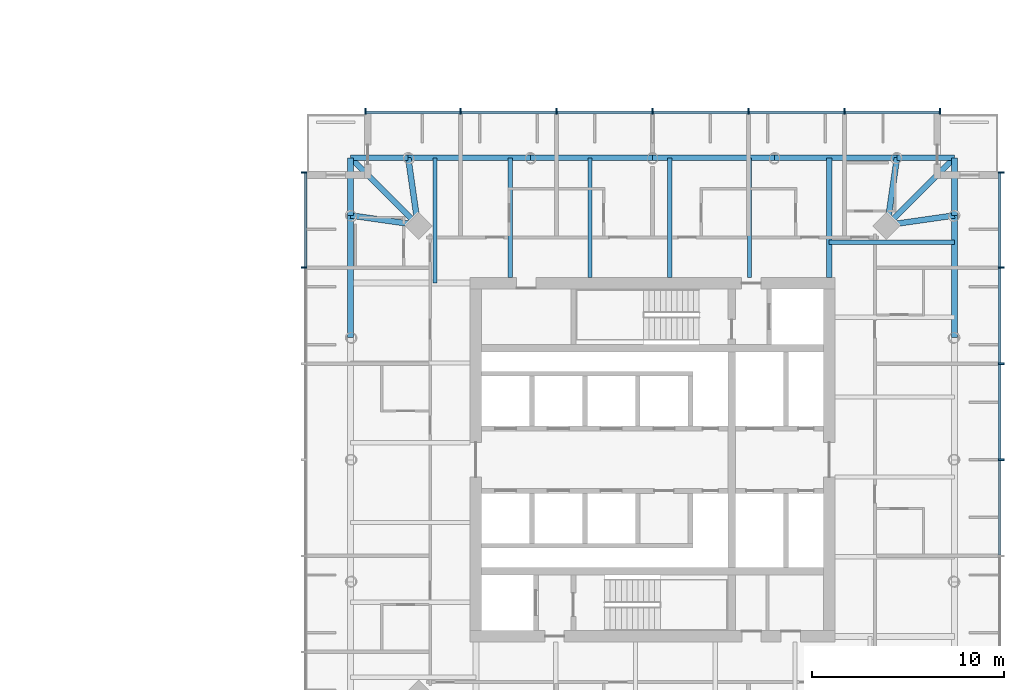
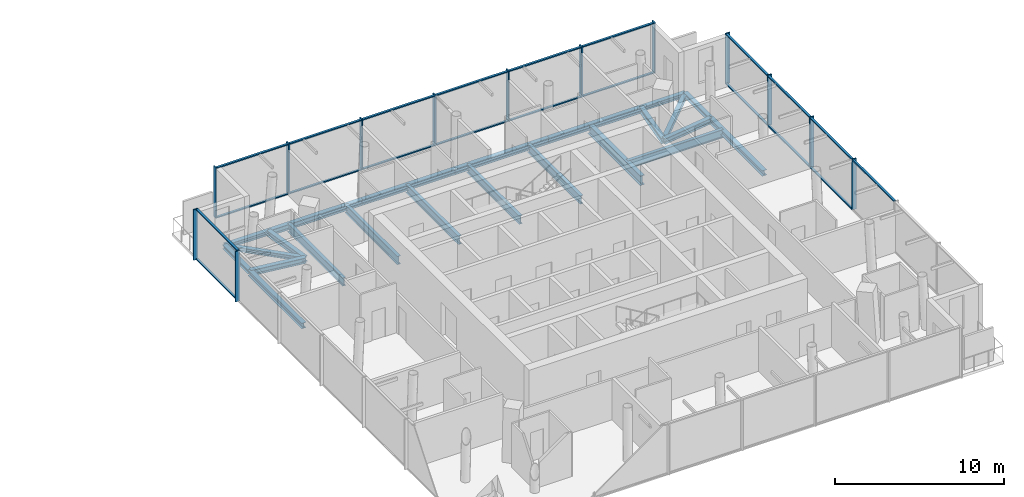
# One storey, part 5 of 18: 34 members, 23 beams, 3 elements without a shape of their own.
"""IFC4 building model written with IfcOpenShell, lengths in metres."""

from ifc_helpers import new_model, si_unit, direction, frame, origin, origin_2d, place, context, subcontext, project, spatial, rectangle, i_section, extrude, material, material_profile, profile_set, type_object, element, aggregate, save


model = new_model("IFC4")

# Units and contexts
model_context = context("Model", 3, precision=1e-05, world=origin(), true_north=direction((0.0, 1.0)))
body_context = subcontext(model_context, "Body", "Model", "MODEL_VIEW")
ifc_project = project(units=[si_unit("LENGTHUNIT", "METRE"), si_unit("AREAUNIT", "SQUARE_METRE"), si_unit("VOLUMEUNIT", "CUBIC_METRE"), si_unit("PLANEANGLEUNIT", "RADIAN"), si_unit("MASSUNIT", "GRAM", prefix="KILO")], contexts=[model_context])

# Site, building, storey
site_placement = place(None, origin())
site = spatial("IfcSite", under=ifc_project, at=site_placement, CompositionType="ELEMENT")
building_placement = place(site_placement, origin())
building = spatial("IfcBuilding", under=site, at=building_placement, Name="Ostroluk Exchange", CompositionType="ELEMENT")
storey_placement = place(building_placement, frame((0.0, 0.0, 97.0)))
storey = spatial("IfcBuildingStorey", under=building, at=storey_placement, Name="L24", CompositionType="ELEMENT", Elevation=97.0)

# Beams
ifc_material_1 = material(Name="Steel S355", Category="steel")
ifc_material_profile_1 = material_profile(ifc_material_1, i_section(OverallWidth=0.300048828125, OverallDepth=0.300048828125, WebThickness=0.010986328125, FlangeThickness=0.01904296875, FilletRadius=0.027099609375, at=origin_2d()), Name="HEB 300")
ifc_profile_set_1 = profile_set([ifc_material_profile_1], Name="Steel S355")
beam_type_1 = type_object("IfcBeamType", Name="Balcony beam HEB 300", PredefinedType="BEAM", material=ifc_profile_set_1)
for number, where, z_axis, x_axis, name in (
    (1, (132.72412109375, 58.72412109375, -0.35009765625), (0.0, 1.0, 0.0), (-1.0, 0.0, 0.0), "T2 east balcony beam a"),
    (2, (129.72412109375, 61.72412109375, -0.35009765625), (1.0, 0.0, 0.0), (0.0, 1.0, 0.0), "T2 east balcony beam b"),
):
    element("IfcBeam", number, at=place(storey_placement, frame(where, z_axis=z_axis, x_axis=x_axis)), inside=storey, type_object=beam_type_1, Name=name, PredefinedType="BEAM", context=body_context, shape_type="SweptSolid", body=[
        extrude(i_section(OverallWidth=0.300048828125, OverallDepth=0.300048828125, WebThickness=0.010986328125, FlangeThickness=0.01904296875, FilletRadius=0.027099609375, at=origin_2d()), origin(), (0.0, 0.0, 1.0), 3.0),
    ])
beam_1_placement = place(storey_placement, frame((129.22412109375, 58.22412109375, -0.35009765625), z_axis=(0.707106781187, 0.707106781187, 0.0), x_axis=(-0.707106781187, 0.707106781187, 0.0)))
element("IfcBeam", 3, at=beam_1_placement, inside=storey, type_object=beam_type_1, Name="T2 east balcony beam c", PredefinedType="BEAM", context=body_context, shape_type="SweptSolid", body=[
    extrude(i_section(OverallWidth=0.300048828125, OverallDepth=0.300048828125, WebThickness=0.010986328125, FlangeThickness=0.01904296875, FilletRadius=0.027099609375, at=origin_2d()), origin(), (0.0, 0.0, 1.0), 4.94970703125),
])
for number, where, z_axis, x_axis, name in (
    (4, (104.27587890625, 61.72412109375, -0.35009765625), (-1.0, 0.0, 0.0), (0.0, -1.0, 0.0), "T2 north balcony beam a"),
    (5, (101.27587890625, 58.72412109375, -0.35009765625), (0.0, 1.0, 0.0), (-1.0, 0.0, 0.0), "T2 north balcony beam b"),
):
    element("IfcBeam", number, at=place(storey_placement, frame(where, z_axis=z_axis, x_axis=x_axis)), inside=storey, type_object=beam_type_1, Name=name, PredefinedType="BEAM", context=body_context, shape_type="SweptSolid", body=[
        extrude(i_section(OverallWidth=0.300048828125, OverallDepth=0.300048828125, WebThickness=0.010986328125, FlangeThickness=0.01904296875, FilletRadius=0.027099609375, at=origin_2d()), origin(), (0.0, 0.0, 1.0), 3.0),
    ])
beam_2_placement = place(storey_placement, frame((104.77587890625, 58.22412109375, -0.35009765625), z_axis=(-0.707106781187, 0.707106781187, 0.0), x_axis=(-0.707106781187, -0.707106781187, 0.0)))
element("IfcBeam", 6, at=beam_2_placement, inside=storey, type_object=beam_type_1, Name="T2 north balcony beam c", PredefinedType="BEAM", context=body_context, shape_type="SweptSolid", body=[
    extrude(i_section(OverallWidth=0.300048828125, OverallDepth=0.300048828125, WebThickness=0.010986328125, FlangeThickness=0.01904296875, FilletRadius=0.027099609375, at=origin_2d()), origin(), (0.0, 0.0, 1.0), 4.94970703125),
])
ifc_material_2 = material(Name="Steel S355", Category="steel")
ifc_material_profile_2 = material_profile(ifc_material_2, i_section(OverallWidth=0.300048828125, OverallDepth=0.39990234375, WebThickness=0.013427734375, FlangeThickness=0.02392578125, FilletRadius=0.027099609375, at=origin_2d()), Name="HEB 400")
ifc_profile_set_2 = profile_set([ifc_material_profile_2], Name="Steel S355")
beam_type_2 = type_object("IfcBeamType", Name="Corner edge beam HEB 400", PredefinedType="SPANDREL", material=ifc_profile_set_2)
for number, where, z_axis, x_axis, name in (
    (7, (129.22412109375, 58.22412109375, -0.39990234375), (0.989949493661, 0.141421356237, 0.0), (-0.141421356237, 0.989949493661, 0.0), "T2 east corner edge beam a"),
    (8, (129.22412109375, 58.22412109375, -0.39990234375), (0.141421356237, 0.989949493661, 0.0), (-0.989949493661, 0.141421356237, 0.0), "T2 east corner edge beam b"),
    (9, (104.77587890625, 58.22412109375, -0.39990234375), (-0.141421356237, 0.989949493661, 0.0), (-0.989949493661, -0.141421356237, 0.0), "T2 north corner edge beam a"),
    (10, (104.77587890625, 58.22412109375, -0.39990234375), (-0.989949493661, 0.141421356237, 0.0), (-0.141421356237, -0.989949493661, 0.0), "T2 north corner edge beam b"),
):
    element("IfcBeam", number, at=place(storey_placement, frame(where, z_axis=z_axis, x_axis=x_axis)), inside=storey, type_object=beam_type_2, Name=name, PredefinedType="SPANDREL", context=body_context, shape_type="SweptSolid", body=[
        extrude(i_section(OverallWidth=0.300048828125, OverallDepth=0.39990234375, WebThickness=0.013427734375, FlangeThickness=0.02392578125, FilletRadius=0.027099609375, at=origin_2d()), origin(), (0.0, 0.0, 1.0), 3.53564453125),
    ])
ifc_material_3 = material(Name="Steel S355", Category="steel")
ifc_material_profile_3 = material_profile(ifc_material_3, i_section(OverallWidth=0.219970703125, OverallDepth=0.60009765625, WebThickness=0.011962890625, FlangeThickness=0.01904296875, FilletRadius=0.02392578125, at=origin_2d()), Name="IPE 600")
ifc_profile_set_3 = profile_set([ifc_material_profile_3], Name="Steel S355")
beam_type_3 = type_object("IfcBeamType", Name="Floor beam IPE 600", PredefinedType="BEAM", material=ifc_profile_set_3)
beam_3_placement = place(storey_placement, frame((126.199951171875, 57.32421875, -0.5), z_axis=(1.0, 0.0, 0.0), x_axis=(0.0, 1.0, 0.0)))
element("IfcBeam", 11, at=beam_3_placement, inside=storey, type_object=beam_type_3, Name="T2 east floor beam 5", PredefinedType="BEAM", context=body_context, shape_type="SweptSolid", body=[
    extrude(i_section(OverallWidth=0.219970703125, OverallDepth=0.60009765625, WebThickness=0.011962890625, FlangeThickness=0.01904296875, FilletRadius=0.02392578125, at=origin_2d()), origin(), (0.0, 0.0, 1.0), 6.524169921875),
])
for number, where, z_axis, x_axis, name in (
    (12, (122.0458984375, 55.5, -0.5), (0.0, 1.0, 0.0), (-1.0, 0.0, 0.0), "T2 north floor beam 1"),
    (13, (117.891845703125, 55.5, -0.5), (0.0, 1.0, 0.0), (-1.0, 0.0, 0.0), "T2 north floor beam 2"),
    (14, (113.738037109375, 55.5, -0.5), (0.0, 1.0, 0.0), (-1.0, 0.0, 0.0), "T2 north floor beam 3"),
    (15, (109.583984375, 55.5, -0.5), (0.0, 1.0, 0.0), (-1.0, 0.0, 0.0), "T2 north floor beam 4"),
):
    element("IfcBeam", number, at=place(storey_placement, frame(where, z_axis=z_axis, x_axis=x_axis)), inside=storey, type_object=beam_type_3, Name=name, PredefinedType="BEAM", context=body_context, shape_type="SweptSolid", body=[
        extrude(i_section(OverallWidth=0.219970703125, OverallDepth=0.60009765625, WebThickness=0.011962890625, FlangeThickness=0.01904296875, FilletRadius=0.02392578125, at=origin_2d()), origin(), (0.0, 0.0, 1.0), 6.22412109375),
    ])
beam_4_placement = place(storey_placement, frame((105.67578125, 55.199951171875, -0.5), z_axis=(0.0, 1.0, 0.0), x_axis=(-1.0, 0.0, 0.0)))
element("IfcBeam", 16, at=beam_4_placement, inside=storey, type_object=beam_type_3, Name="T2 north floor beam 5", PredefinedType="BEAM", context=body_context, shape_type="SweptSolid", body=[
    extrude(i_section(OverallWidth=0.219970703125, OverallDepth=0.60009765625, WebThickness=0.011962890625, FlangeThickness=0.01904296875, FilletRadius=0.02392578125, at=origin_2d()), origin(), (0.0, 0.0, 1.0), 6.524169921875),
])
ifc_material_4 = material(Name="Steel S355", Category="steel")
ifc_material_profile_4 = material_profile(ifc_material_4, i_section(OverallWidth=0.300048828125, OverallDepth=0.699951171875, WebThickness=0.01708984375, FlangeThickness=0.031982421875, FilletRadius=0.027099609375, at=origin_2d()), Name="HEB 700")
ifc_profile_set_4 = profile_set([ifc_material_profile_4], Name="Steel S355")
beam_type_4 = type_object("IfcBeamType", Name="Girder HEB 700", PredefinedType="BEAM", material=ifc_profile_set_4)
beam_5_placement = place(storey_placement, frame((126.199951171875, 55.5, -0.550048828125), z_axis=(0.0, 1.0, 0.0), x_axis=(-1.0, 0.0, 0.0)))
element("IfcBeam", 17, at=beam_5_placement, inside=storey, type_object=beam_type_4, Name="T2 east girder", PredefinedType="BEAM", context=body_context, shape_type="SweptSolid", body=[
    extrude(i_section(OverallWidth=0.300048828125, OverallDepth=0.699951171875, WebThickness=0.01708984375, FlangeThickness=0.031982421875, FilletRadius=0.027099609375, at=origin_2d()), origin(), (0.0, 0.0, 1.0), 6.22412109375),
])
ifc_material_5 = material(Name="Steel S355", Category="steel")
ifc_material_profile_5 = material_profile(ifc_material_5, i_section(OverallWidth=0.300048828125, OverallDepth=0.39990234375, WebThickness=0.013427734375, FlangeThickness=0.02392578125, FilletRadius=0.027099609375, at=origin_2d()), Name="HEB 400")
ifc_profile_set_5 = profile_set([ifc_material_profile_5], Name="Steel S355")
beam_type_5 = type_object("IfcBeamType", Name="Moment-connected edge beam HEB 400", PredefinedType="SPANDREL", material=ifc_profile_set_5)
for number, where, z_axis, x_axis, name in (
    (18, (132.72412109375, 52.362060546875, -0.39990234375), (0.0, 1.0, 0.0), (-1.0, 0.0, 0.0), "T2 east edge beam 4"),
    (19, (129.72412109375, 61.72412109375, -0.39990234375), (-1.0, 0.0, 0.0), (0.0, -1.0, 0.0), "T2 north edge beam 1"),
    (20, (123.362060546875, 61.72412109375, -0.39990234375), (-1.0, 0.0, 0.0), (0.0, -1.0, 0.0), "T2 north edge beam 2"),
    (21, (117.0, 61.72412109375, -0.39990234375), (-1.0, 0.0, 0.0), (0.0, -1.0, 0.0), "T2 north edge beam 3"),
    (22, (110.637939453125, 61.72412109375, -0.39990234375), (-1.0, 0.0, 0.0), (0.0, -1.0, 0.0), "T2 north edge beam 4"),
    (23, (101.27587890625, 58.72412109375, -0.39990234375), (0.0, -1.0, 0.0), (1.0, 0.0, 0.0), "T2 west edge beam 1"),
):
    element("IfcBeam", number, at=place(storey_placement, frame(where, z_axis=z_axis, x_axis=x_axis)), inside=storey, type_object=beam_type_5, Name=name, PredefinedType="SPANDREL", context=body_context, shape_type="SweptSolid", body=[
        extrude(i_section(OverallWidth=0.300048828125, OverallDepth=0.39990234375, WebThickness=0.013427734375, FlangeThickness=0.02392578125, FilletRadius=0.027099609375, at=origin_2d()), origin(), (0.0, 0.0, 1.0), 6.362060546875),
    ])

# Curtain wall, members
ifc_material_6 = material(Name="Laminated clear glass", Category="glass")
curtain_wall_type = type_object("IfcCurtainWallType", Name="Hotel guest floor facade", PredefinedType="USERDEFINED", material=ifc_material_6)
curtain_wall_1_placement = place(storey_placement, origin())
curtain_wall_1 = element("IfcCurtainWall", 24, at=curtain_wall_1_placement, inside=storey, type_object=curtain_wall_type, Name="Hotel tower east facade L24", ObjectType="UNITISED CURTAIN WALL", PredefinedType="USERDEFINED")
ifc_material_7 = material(Name="Aluminium mullion", Category="aluminium")
ifc_material_profile_6 = material_profile(ifc_material_7, rectangle(XDim=0.14990234375, YDim=0.080078125, at=origin_2d()), Name="Sill transom 80 x 150")
ifc_profile_set_6 = profile_set([ifc_material_profile_6], Name="Aluminium mullion")
member_type_1 = type_object("IfcMemberType", Name="Sill transom 80 x 150", PredefinedType="USERDEFINED", material=ifc_profile_set_6)
member_1_placement = place(storey_placement, frame((135.074951171875, 41.0400390625, 3.610107421875), z_axis=(0.0, 1.0, 0.0), x_axis=(-1.0, 0.0, 0.0)))
member_1 = element("IfcMember", 25, at=member_1_placement, type_object=member_type_1, Name="CW-H1 transom 3.2", ObjectType="TRANSOM", PredefinedType="USERDEFINED", context=body_context, shape_type="SweptSolid", body=[
    extrude(rectangle(XDim=0.14990234375, YDim=0.080078125, at=origin_2d()), origin(), (0.0, 0.0, 1.0), 4.919921875),
])
member_2_placement = place(storey_placement, frame((135.074951171875, 46.0400390625, 0.0400390625), z_axis=(0.0, 1.0, 0.0), x_axis=(-1.0, 0.0, 0.0)))
member_2 = element("IfcMember", 26, at=member_2_placement, type_object=member_type_1, Name="CW-H1 transom 4.1", ObjectType="TRANSOM", PredefinedType="USERDEFINED", context=body_context, shape_type="SweptSolid", body=[
    extrude(rectangle(XDim=0.14990234375, YDim=0.080078125, at=origin_2d()), origin(), (0.0, 0.0, 1.0), 4.919921875),
])
member_3_placement = place(storey_placement, frame((135.074951171875, 46.0400390625, 3.610107421875), z_axis=(0.0, 1.0, 0.0), x_axis=(-1.0, 0.0, 0.0)))
member_3 = element("IfcMember", 27, at=member_3_placement, type_object=member_type_1, Name="CW-H1 transom 4.2", ObjectType="TRANSOM", PredefinedType="USERDEFINED", context=body_context, shape_type="SweptSolid", body=[
    extrude(rectangle(XDim=0.14990234375, YDim=0.080078125, at=origin_2d()), origin(), (0.0, 0.0, 1.0), 4.919921875),
])
member_4_placement = place(storey_placement, frame((135.074951171875, 51.0400390625, 0.0400390625), z_axis=(0.0, 1.0, 0.0), x_axis=(-1.0, 0.0, 0.0)))
member_4 = element("IfcMember", 28, at=member_4_placement, type_object=member_type_1, Name="CW-H1 transom 5.1", ObjectType="TRANSOM", PredefinedType="USERDEFINED", context=body_context, shape_type="SweptSolid", body=[
    extrude(rectangle(XDim=0.14990234375, YDim=0.080078125, at=origin_2d()), origin(), (0.0, 0.0, 1.0), 4.919921875),
])
member_5_placement = place(storey_placement, frame((135.074951171875, 51.0400390625, 3.610107421875), z_axis=(0.0, 1.0, 0.0), x_axis=(-1.0, 0.0, 0.0)))
member_5 = element("IfcMember", 29, at=member_5_placement, type_object=member_type_1, Name="CW-H1 transom 5.2", ObjectType="TRANSOM", PredefinedType="USERDEFINED", context=body_context, shape_type="SweptSolid", body=[
    extrude(rectangle(XDim=0.14990234375, YDim=0.080078125, at=origin_2d()), origin(), (0.0, 0.0, 1.0), 4.919921875),
])
member_6_placement = place(storey_placement, frame((135.074951171875, 56.0400390625, 0.0400390625), z_axis=(0.0, 1.0, 0.0), x_axis=(-1.0, 0.0, 0.0)))
member_6 = element("IfcMember", 30, at=member_6_placement, type_object=member_type_1, Name="CW-H1 transom 6.1", ObjectType="TRANSOM", PredefinedType="USERDEFINED", context=body_context, shape_type="SweptSolid", body=[
    extrude(rectangle(XDim=0.14990234375, YDim=0.080078125, at=origin_2d()), origin(), (0.0, 0.0, 1.0), 4.8798828125),
])
member_7_placement = place(storey_placement, frame((135.074951171875, 56.0400390625, 3.610107421875), z_axis=(0.0, 1.0, 0.0), x_axis=(-1.0, 0.0, 0.0)))
member_7 = element("IfcMember", 31, at=member_7_placement, type_object=member_type_1, Name="CW-H1 transom 6.2", ObjectType="TRANSOM", PredefinedType="USERDEFINED", context=body_context, shape_type="SweptSolid", body=[
    extrude(rectangle(XDim=0.14990234375, YDim=0.080078125, at=origin_2d()), origin(), (0.0, 0.0, 1.0), 4.8798828125),
])

curtain_wall_2_placement = place(storey_placement, origin())
curtain_wall_2 = element("IfcCurtainWall", 32, at=curtain_wall_2_placement, inside=storey, type_object=curtain_wall_type, Name="Hotel tower north facade L24", ObjectType="UNITISED CURTAIN WALL", PredefinedType="USERDEFINED")
member_8_placement = place(storey_placement, frame((131.919921875, 64.074951171875, 0.0400390625), z_axis=(-1.0, 0.0, 0.0), x_axis=(0.0, -1.0, 0.0)))
member_8 = element("IfcMember", 33, at=member_8_placement, type_object=member_type_1, Name="CW-H1 transom 1.1", ObjectType="TRANSOM", PredefinedType="USERDEFINED", context=body_context, shape_type="SweptSolid", body=[
    extrude(rectangle(XDim=0.14990234375, YDim=0.080078125, at=origin_2d()), origin(), (0.0, 0.0, 1.0), 4.8798828125),
])
member_9_placement = place(storey_placement, frame((131.919921875, 64.074951171875, 3.610107421875), z_axis=(-1.0, 0.0, 0.0), x_axis=(0.0, -1.0, 0.0)))
member_9 = element("IfcMember", 34, at=member_9_placement, type_object=member_type_1, Name="CW-H1 transom 1.2", ObjectType="TRANSOM", PredefinedType="USERDEFINED", context=body_context, shape_type="SweptSolid", body=[
    extrude(rectangle(XDim=0.14990234375, YDim=0.080078125, at=origin_2d()), origin(), (0.0, 0.0, 1.0), 4.8798828125),
])
member_10_placement = place(storey_placement, frame((126.9599609375, 64.074951171875, 0.0400390625), z_axis=(-1.0, 0.0, 0.0), x_axis=(0.0, -1.0, 0.0)))
member_10 = element("IfcMember", 35, at=member_10_placement, type_object=member_type_1, Name="CW-H1 transom 2.1", ObjectType="TRANSOM", PredefinedType="USERDEFINED", context=body_context, shape_type="SweptSolid", body=[
    extrude(rectangle(XDim=0.14990234375, YDim=0.080078125, at=origin_2d()), origin(), (0.0, 0.0, 1.0), 4.919921875),
])
member_11_placement = place(storey_placement, frame((126.9599609375, 64.074951171875, 3.610107421875), z_axis=(-1.0, 0.0, 0.0), x_axis=(0.0, -1.0, 0.0)))
member_11 = element("IfcMember", 36, at=member_11_placement, type_object=member_type_1, Name="CW-H1 transom 2.2", ObjectType="TRANSOM", PredefinedType="USERDEFINED", context=body_context, shape_type="SweptSolid", body=[
    extrude(rectangle(XDim=0.14990234375, YDim=0.080078125, at=origin_2d()), origin(), (0.0, 0.0, 1.0), 4.919921875),
])
member_12_placement = place(storey_placement, frame((121.9599609375, 64.074951171875, 0.0400390625), z_axis=(-1.0, 0.0, 0.0), x_axis=(0.0, -1.0, 0.0)))
member_12 = element("IfcMember", 37, at=member_12_placement, type_object=member_type_1, Name="CW-H1 transom 3.1", ObjectType="TRANSOM", PredefinedType="USERDEFINED", context=body_context, shape_type="SweptSolid", body=[
    extrude(rectangle(XDim=0.14990234375, YDim=0.080078125, at=origin_2d()), origin(), (0.0, 0.0, 1.0), 4.919921875),
])
member_13_placement = place(storey_placement, frame((121.9599609375, 64.074951171875, 3.610107421875), z_axis=(-1.0, 0.0, 0.0), x_axis=(0.0, -1.0, 0.0)))
member_13 = element("IfcMember", 38, at=member_13_placement, type_object=member_type_1, Name="CW-H1 transom 3.2", ObjectType="TRANSOM", PredefinedType="USERDEFINED", context=body_context, shape_type="SweptSolid", body=[
    extrude(rectangle(XDim=0.14990234375, YDim=0.080078125, at=origin_2d()), origin(), (0.0, 0.0, 1.0), 4.919921875),
])
member_14_placement = place(storey_placement, frame((116.9599609375, 64.074951171875, 0.0400390625), z_axis=(-1.0, 0.0, 0.0), x_axis=(0.0, -1.0, 0.0)))
member_14 = element("IfcMember", 39, at=member_14_placement, type_object=member_type_1, Name="CW-H1 transom 4.1", ObjectType="TRANSOM", PredefinedType="USERDEFINED", context=body_context, shape_type="SweptSolid", body=[
    extrude(rectangle(XDim=0.14990234375, YDim=0.080078125, at=origin_2d()), origin(), (0.0, 0.0, 1.0), 4.919921875),
])
member_15_placement = place(storey_placement, frame((116.9599609375, 64.074951171875, 3.610107421875), z_axis=(-1.0, 0.0, 0.0), x_axis=(0.0, -1.0, 0.0)))
member_15 = element("IfcMember", 40, at=member_15_placement, type_object=member_type_1, Name="CW-H1 transom 4.2", ObjectType="TRANSOM", PredefinedType="USERDEFINED", context=body_context, shape_type="SweptSolid", body=[
    extrude(rectangle(XDim=0.14990234375, YDim=0.080078125, at=origin_2d()), origin(), (0.0, 0.0, 1.0), 4.919921875),
])
member_16_placement = place(storey_placement, frame((111.9599609375, 64.074951171875, 0.0400390625), z_axis=(-1.0, 0.0, 0.0), x_axis=(0.0, -1.0, 0.0)))
member_16 = element("IfcMember", 41, at=member_16_placement, type_object=member_type_1, Name="CW-H1 transom 5.1", ObjectType="TRANSOM", PredefinedType="USERDEFINED", context=body_context, shape_type="SweptSolid", body=[
    extrude(rectangle(XDim=0.14990234375, YDim=0.080078125, at=origin_2d()), origin(), (0.0, 0.0, 1.0), 4.919921875),
])
member_17_placement = place(storey_placement, frame((111.9599609375, 64.074951171875, 3.610107421875), z_axis=(-1.0, 0.0, 0.0), x_axis=(0.0, -1.0, 0.0)))
member_17 = element("IfcMember", 42, at=member_17_placement, type_object=member_type_1, Name="CW-H1 transom 5.2", ObjectType="TRANSOM", PredefinedType="USERDEFINED", context=body_context, shape_type="SweptSolid", body=[
    extrude(rectangle(XDim=0.14990234375, YDim=0.080078125, at=origin_2d()), origin(), (0.0, 0.0, 1.0), 4.919921875),
])
member_18_placement = place(storey_placement, frame((106.9599609375, 64.074951171875, 0.0400390625), z_axis=(-1.0, 0.0, 0.0), x_axis=(0.0, -1.0, 0.0)))
member_18 = element("IfcMember", 43, at=member_18_placement, type_object=member_type_1, Name="CW-H1 transom 6.1", ObjectType="TRANSOM", PredefinedType="USERDEFINED", context=body_context, shape_type="SweptSolid", body=[
    extrude(rectangle(XDim=0.14990234375, YDim=0.080078125, at=origin_2d()), origin(), (0.0, 0.0, 1.0), 4.8798828125),
])
member_19_placement = place(storey_placement, frame((106.9599609375, 64.074951171875, 3.610107421875), z_axis=(-1.0, 0.0, 0.0), x_axis=(0.0, -1.0, 0.0)))
member_19 = element("IfcMember", 44, at=member_19_placement, type_object=member_type_1, Name="CW-H1 transom 6.2", ObjectType="TRANSOM", PredefinedType="USERDEFINED", context=body_context, shape_type="SweptSolid", body=[
    extrude(rectangle(XDim=0.14990234375, YDim=0.080078125, at=origin_2d()), origin(), (0.0, 0.0, 1.0), 4.8798828125),
])

curtain_wall_3_placement = place(storey_placement, origin())
curtain_wall_3 = element("IfcCurtainWall", 45, at=curtain_wall_3_placement, inside=storey, type_object=curtain_wall_type, Name="Hotel tower west facade L24", ObjectType="UNITISED CURTAIN WALL", PredefinedType="USERDEFINED")
member_20_placement = place(storey_placement, frame((98.925048828125, 60.919921875, 0.0400390625), z_axis=(0.0, -1.0, 0.0), x_axis=(1.0, 0.0, 0.0)))
member_20 = element("IfcMember", 46, at=member_20_placement, type_object=member_type_1, Name="CW-H1 transom 1.1", ObjectType="TRANSOM", PredefinedType="USERDEFINED", context=body_context, shape_type="SweptSolid", body=[
    extrude(rectangle(XDim=0.14990234375, YDim=0.080078125, at=origin_2d()), origin(), (0.0, 0.0, 1.0), 4.8798828125),
])
member_21_placement = place(storey_placement, frame((98.925048828125, 60.919921875, 3.610107421875), z_axis=(0.0, -1.0, 0.0), x_axis=(1.0, 0.0, 0.0)))
member_21 = element("IfcMember", 47, at=member_21_placement, type_object=member_type_1, Name="CW-H1 transom 1.2", ObjectType="TRANSOM", PredefinedType="USERDEFINED", context=body_context, shape_type="SweptSolid", body=[
    extrude(rectangle(XDim=0.14990234375, YDim=0.080078125, at=origin_2d()), origin(), (0.0, 0.0, 1.0), 4.8798828125),
])

# Member
ifc_material_8 = material(Name="Aluminium mullion with limestone facing", Category="masonry")
ifc_material_profile_7 = material_profile(ifc_material_8, rectangle(XDim=0.300048828125, YDim=0.080078125, at=origin_2d()), Name="Tracery mullion 80 x 300")
ifc_profile_set_7 = profile_set([ifc_material_profile_7], Name="Aluminium mullion with limestone facing")
member_type_2 = type_object("IfcMemberType", Name="Tracery mullion 80 x 300", PredefinedType="MULLION", material=ifc_profile_set_7)
member_22_placement = place(storey_placement, frame((135.14990234375, 46.0, 0.0), z_axis=(0.0, 0.0, 1.0), x_axis=(-1.0, 0.0, 0.0)))
member_22 = element("IfcMember", 48, at=member_22_placement, type_object=member_type_2, Name="CW-H1 mullion 4", PredefinedType="MULLION", context=body_context, shape_type="SweptSolid", body=[
    extrude(rectangle(XDim=0.300048828125, YDim=0.080078125, at=origin_2d()), origin(), (0.0, 0.0, 1.0), 3.64990234375),
])

member_23_placement = place(storey_placement, frame((135.14990234375, 51.0, 0.0), z_axis=(0.0, 0.0, 1.0), x_axis=(-1.0, 0.0, 0.0)))
member_23 = element("IfcMember", 49, at=member_23_placement, type_object=member_type_2, Name="CW-H1 mullion 5", PredefinedType="MULLION", context=body_context, shape_type="SweptSolid", body=[
    extrude(rectangle(XDim=0.300048828125, YDim=0.080078125, at=origin_2d()), origin(), (0.0, 0.0, 1.0), 3.64990234375),
])

member_24_placement = place(storey_placement, frame((135.14990234375, 56.0, 0.0), z_axis=(0.0, 0.0, 1.0), x_axis=(-1.0, 0.0, 0.0)))
member_24 = element("IfcMember", 50, at=member_24_placement, type_object=member_type_2, Name="CW-H1 mullion 6", PredefinedType="MULLION", context=body_context, shape_type="SweptSolid", body=[
    extrude(rectangle(XDim=0.300048828125, YDim=0.080078125, at=origin_2d()), origin(), (0.0, 0.0, 1.0), 3.64990234375),
])

member_25_placement = place(storey_placement, frame((135.14990234375, 60.9599609375, 0.0), z_axis=(0.0, 0.0, 1.0), x_axis=(-1.0, 0.0, 0.0)))
member_25 = element("IfcMember", 51, at=member_25_placement, type_object=member_type_2, Name="CW-H1 mullion 7", PredefinedType="MULLION", context=body_context, shape_type="SweptSolid", body=[
    extrude(rectangle(XDim=0.300048828125, YDim=0.080078125, at=origin_2d()), origin(), (0.0, 0.0, 1.0), 3.64990234375),
])

aggregate(curtain_wall_1, [member_22, member_23, member_24, member_25, member_1, member_2, member_3, member_4, member_5, member_6, member_7])

member_26_placement = place(storey_placement, frame((131.9599609375, 64.14990234375, 0.0), z_axis=(0.0, 0.0, 1.0), x_axis=(0.0, -1.0, 0.0)))
member_26 = element("IfcMember", 52, at=member_26_placement, type_object=member_type_2, Name="CW-H1 mullion 1", PredefinedType="MULLION", context=body_context, shape_type="SweptSolid", body=[
    extrude(rectangle(XDim=0.300048828125, YDim=0.080078125, at=origin_2d()), origin(), (0.0, 0.0, 1.0), 3.64990234375),
])

member_27_placement = place(storey_placement, frame((127.0, 64.14990234375, 0.0), z_axis=(0.0, 0.0, 1.0), x_axis=(0.0, -1.0, 0.0)))
member_27 = element("IfcMember", 53, at=member_27_placement, type_object=member_type_2, Name="CW-H1 mullion 2", PredefinedType="MULLION", context=body_context, shape_type="SweptSolid", body=[
    extrude(rectangle(XDim=0.300048828125, YDim=0.080078125, at=origin_2d()), origin(), (0.0, 0.0, 1.0), 3.64990234375),
])

member_28_placement = place(storey_placement, frame((122.0, 64.14990234375, 0.0), z_axis=(0.0, 0.0, 1.0), x_axis=(0.0, -1.0, 0.0)))
member_28 = element("IfcMember", 54, at=member_28_placement, type_object=member_type_2, Name="CW-H1 mullion 3", PredefinedType="MULLION", context=body_context, shape_type="SweptSolid", body=[
    extrude(rectangle(XDim=0.300048828125, YDim=0.080078125, at=origin_2d()), origin(), (0.0, 0.0, 1.0), 3.64990234375),
])

member_29_placement = place(storey_placement, frame((117.0, 64.14990234375, 0.0), z_axis=(0.0, 0.0, 1.0), x_axis=(0.0, -1.0, 0.0)))
member_29 = element("IfcMember", 55, at=member_29_placement, type_object=member_type_2, Name="CW-H1 mullion 4", PredefinedType="MULLION", context=body_context, shape_type="SweptSolid", body=[
    extrude(rectangle(XDim=0.300048828125, YDim=0.080078125, at=origin_2d()), origin(), (0.0, 0.0, 1.0), 3.64990234375),
])

member_30_placement = place(storey_placement, frame((112.0, 64.14990234375, 0.0), z_axis=(0.0, 0.0, 1.0), x_axis=(0.0, -1.0, 0.0)))
member_30 = element("IfcMember", 56, at=member_30_placement, type_object=member_type_2, Name="CW-H1 mullion 5", PredefinedType="MULLION", context=body_context, shape_type="SweptSolid", body=[
    extrude(rectangle(XDim=0.300048828125, YDim=0.080078125, at=origin_2d()), origin(), (0.0, 0.0, 1.0), 3.64990234375),
])

member_31_placement = place(storey_placement, frame((107.0, 64.14990234375, 0.0), z_axis=(0.0, 0.0, 1.0), x_axis=(0.0, -1.0, 0.0)))
member_31 = element("IfcMember", 57, at=member_31_placement, type_object=member_type_2, Name="CW-H1 mullion 6", PredefinedType="MULLION", context=body_context, shape_type="SweptSolid", body=[
    extrude(rectangle(XDim=0.300048828125, YDim=0.080078125, at=origin_2d()), origin(), (0.0, 0.0, 1.0), 3.64990234375),
])

member_32_placement = place(storey_placement, frame((102.0400390625, 64.14990234375, 0.0), z_axis=(0.0, 0.0, 1.0), x_axis=(0.0, -1.0, 0.0)))
member_32 = element("IfcMember", 58, at=member_32_placement, type_object=member_type_2, Name="CW-H1 mullion 7", PredefinedType="MULLION", context=body_context, shape_type="SweptSolid", body=[
    extrude(rectangle(XDim=0.300048828125, YDim=0.080078125, at=origin_2d()), origin(), (0.0, 0.0, 1.0), 3.64990234375),
])

aggregate(curtain_wall_2, [member_26, member_27, member_28, member_29, member_30, member_31, member_32, member_8, member_9, member_10, member_11, member_12, member_13, member_14, member_15, member_16, member_17, member_18, member_19])

member_33_placement = place(storey_placement, frame((98.85009765625, 60.9599609375, 0.0), z_axis=(0.0, 0.0, 1.0), x_axis=(1.0, 0.0, 0.0)))
member_33 = element("IfcMember", 59, at=member_33_placement, type_object=member_type_2, Name="CW-H1 mullion 1", PredefinedType="MULLION", context=body_context, shape_type="SweptSolid", body=[
    extrude(rectangle(XDim=0.300048828125, YDim=0.080078125, at=origin_2d()), origin(), (0.0, 0.0, 1.0), 3.64990234375),
])

member_34_placement = place(storey_placement, frame((98.85009765625, 56.0, 0.0), z_axis=(0.0, 0.0, 1.0), x_axis=(1.0, 0.0, 0.0)))
member_34 = element("IfcMember", 60, at=member_34_placement, type_object=member_type_2, Name="CW-H1 mullion 2", PredefinedType="MULLION", context=body_context, shape_type="SweptSolid", body=[
    extrude(rectangle(XDim=0.300048828125, YDim=0.080078125, at=origin_2d()), origin(), (0.0, 0.0, 1.0), 3.64990234375),
])

aggregate(curtain_wall_3, [member_33, member_34, member_20, member_21])

save(model, "model.ifc")
